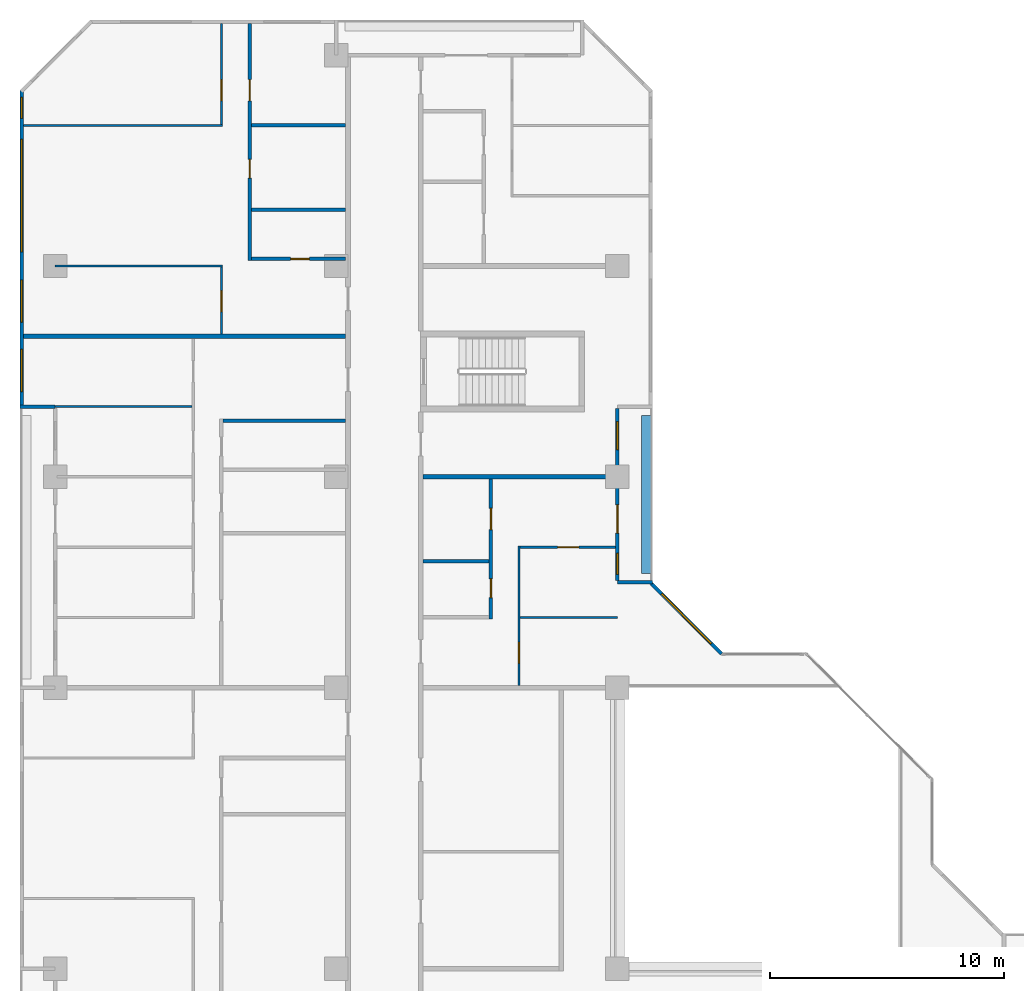
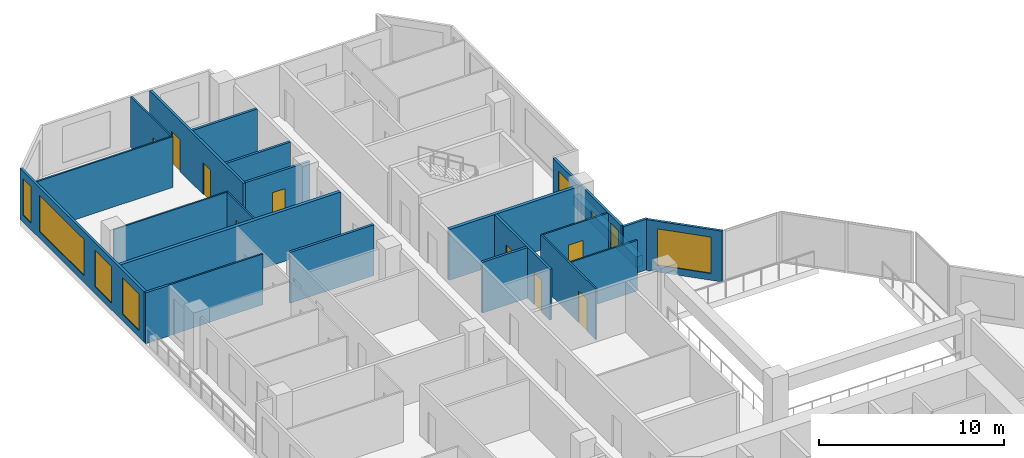
# One storey, part 10 of 16: 23 walls, 10 doors, 7 windows, 17 openings.
"""IFC4 building model written with IfcOpenShell, lengths in metres."""

from ifc_helpers import new_model, si_unit, direction, frame, frame_2d, origin, place, context, subcontext, project, spatial, rectangle, extrude, material, layer, layer_set, type_object, element, fill, save


model = new_model("IFC4")

# Units and contexts
model_context = context("Model", 3, precision=1e-05, world=origin(), true_north=direction((0.0, 1.0)))
body_context = subcontext(model_context, "Body", "Model", "MODEL_VIEW")
ifc_project = project(units=[si_unit("LENGTHUNIT", "METRE"), si_unit("AREAUNIT", "SQUARE_METRE"), si_unit("VOLUMEUNIT", "CUBIC_METRE"), si_unit("PLANEANGLEUNIT", "RADIAN"), si_unit("MASSUNIT", "GRAM", prefix="KILO")], contexts=[model_context])

# Site, building, storey
site_placement = place(None, origin())
site = spatial("IfcSite", under=ifc_project, at=site_placement, CompositionType="ELEMENT")
building_placement = place(site_placement, origin())
building = spatial("IfcBuilding", under=site, at=building_placement, Name="Chenar Terraces", CompositionType="ELEMENT")
storey_placement = place(building_placement, frame((0.0, 0.0, 103.14990234375)))
storey = spatial("IfcBuildingStorey", under=building, at=storey_placement, Name="L23", CompositionType="ELEMENT", Elevation=103.14990234375)

# Wall, openings, windows
ifc_material_1 = material(Name="Aluminium framed glazing", Category="aluminium")
ifc_layer_1 = layer(ifc_material_1, 0.14990234375)
ifc_layer_set_1 = layer_set([ifc_layer_1], Name="Aluminium framed glazing")
wall_type_1 = type_object("IfcWallType", Name="Glazed flush facade wall 150", PredefinedType="SOLIDWALL", material=ifc_layer_set_1)
wall_1_placement = place(storey_placement, frame((-1.425048828125, 61.5, 0.0), z_axis=(0.0, 0.0, 1.0), x_axis=(0.0, -1.0, 0.0)))
wall_1 = element("IfcWall", 1, at=wall_1_placement, inside=storey, type_object=wall_type_1, Name="Glazed flush facade wall", PredefinedType="SOLIDWALL", context=body_context, shape_type="SweptSolid", body=[
    extrude(rectangle(XDim=13.425048828125, YDim=0.14990234375, at=frame_2d((6.71240234375, 0.0))), origin(), (0.0, 0.0, 1.0), 3.35009765625),
])
opening_1_placement = place(wall_1_placement, frame((0.300048828125, 0.0, 0.449951171875)))
opening_1 = element("IfcOpeningElement", 2, at=opening_1_placement, cuts=wall_1, Name="Opening W90x240", PredefinedType="OPENING", context=body_context, shape_type="SweptSolid", body=[
    extrude(rectangle(XDim=0.89990234375, YDim=2.39990234375, at=frame_2d((0.449951171875, 1.199951171875))), frame((0.0, 0.0849609375, 0.0), z_axis=(0.0, -1.0, 0.0), x_axis=(1.0, 0.0, 0.0)), (0.0, 0.0, 1.0), 0.169921875),
])
opening_2_placement = place(wall_1_placement, frame((2.10009765625, 0.0, 0.449951171875)))
opening_2 = element("IfcOpeningElement", 3, at=opening_2_placement, cuts=wall_1, Name="Opening W480x240", PredefinedType="OPENING", context=body_context, shape_type="SweptSolid", body=[
    extrude(rectangle(XDim=4.800048828125, YDim=2.39990234375, at=frame_2d((2.39990234375, 1.199951171875))), frame((0.0, 0.0849609375, 0.0), z_axis=(0.0, -1.0, 0.0), x_axis=(1.0, 0.0, 0.0)), (0.0, 0.0, 1.0), 0.169921875),
])
opening_3_placement = place(wall_1_placement, frame((8.10009765625, 0.0, 0.449951171875)))
opening_3 = element("IfcOpeningElement", 4, at=opening_3_placement, cuts=wall_1, Name="Opening W180x240", PredefinedType="OPENING", context=body_context, shape_type="SweptSolid", body=[
    extrude(rectangle(XDim=1.800048828125, YDim=2.39990234375, at=frame_2d((0.89990234375, 1.199951171875))), frame((0.0, 0.0849609375, 0.0), z_axis=(0.0, -1.0, 0.0), x_axis=(1.0, 0.0, 0.0)), (0.0, 0.0, 1.0), 0.169921875),
])
opening_4_placement = place(wall_1_placement, frame((11.0625, 0.0, 0.449951171875)))
opening_4 = element("IfcOpeningElement", 5, at=opening_4_placement, cuts=wall_1, Name="Opening W180x240", PredefinedType="OPENING", context=body_context, shape_type="SweptSolid", body=[
    extrude(rectangle(XDim=1.800048828125, YDim=2.39990234375, at=frame_2d((0.89990234375, 1.199951171875))), frame((0.0, 0.0849609375, 0.0), z_axis=(0.0, -1.0, 0.0), x_axis=(1.0, 0.0, 0.0)), (0.0, 0.0, 1.0), 0.169921875),
])
ifc_material_2 = material(Name="Low emissivity double glazing, aluminium frame", Category="aluminium")
window_type_1 = type_object("IfcWindowType", Name="Fixed light 1800 x 2400", PartitioningType="SINGLE_PANEL", PredefinedType="WINDOW", material=ifc_material_2)
window_1_placement = place(opening_3_placement, origin())
window_1 = element("IfcWindow", 6, at=window_1_placement, inside=storey, type_object=window_type_1, Name="Window", OverallHeight=2.39990234375, OverallWidth=1.800048828125, PartitioningType="SINGLE_PANEL", PredefinedType="WINDOW", context=body_context, shape_type="SweptSolid", body=[
    extrude(rectangle(XDim=1.800048828125, YDim=2.39990234375, at=frame_2d((0.89990234375, 1.199951171875))), frame((0.0, 0.030029296875, 0.0), z_axis=(0.0, -1.0, 0.0), x_axis=(1.0, 0.0, 0.0)), (0.0, 0.0, 1.0), 0.06005859375),
])
fill(opening_3, window_1)
window_2_placement = place(opening_4_placement, origin())
window_2 = element("IfcWindow", 7, at=window_2_placement, inside=storey, type_object=window_type_1, Name="Window", OverallHeight=2.39990234375, OverallWidth=1.800048828125, PartitioningType="SINGLE_PANEL", PredefinedType="WINDOW", context=body_context, shape_type="SweptSolid", body=[
    extrude(rectangle(XDim=1.800048828125, YDim=2.39990234375, at=frame_2d((0.89990234375, 1.199951171875))), frame((0.0, 0.030029296875, 0.0), z_axis=(0.0, -1.0, 0.0), x_axis=(1.0, 0.0, 0.0)), (0.0, 0.0, 1.0), 0.06005859375),
])
fill(opening_4, window_2)
ifc_material_3 = material(Name="Low emissivity double glazing, aluminium frame", Category="aluminium")
window_type_2 = type_object("IfcWindowType", Name="Fixed light 4800 x 2400", PartitioningType="SINGLE_PANEL", PredefinedType="WINDOW", material=ifc_material_3)
window_3_placement = place(opening_2_placement, origin())
window_3 = element("IfcWindow", 8, at=window_3_placement, inside=storey, type_object=window_type_2, Name="Window", OverallHeight=2.39990234375, OverallWidth=4.800048828125, PartitioningType="SINGLE_PANEL", PredefinedType="WINDOW", context=body_context, shape_type="SweptSolid", body=[
    extrude(rectangle(XDim=4.800048828125, YDim=2.39990234375, at=frame_2d((2.39990234375, 1.199951171875))), frame((0.0, 0.030029296875, 0.0), z_axis=(0.0, -1.0, 0.0), x_axis=(1.0, 0.0, 0.0)), (0.0, 0.0, 1.0), 0.06005859375),
])
fill(opening_2, window_3)
ifc_material_4 = material(Name="Low emissivity double glazing, aluminium frame", Category="aluminium")
window_type_3 = type_object("IfcWindowType", Name="Fixed light 900 x 2400", PartitioningType="SINGLE_PANEL", PredefinedType="WINDOW", material=ifc_material_4)
window_4_placement = place(opening_1_placement, origin())
window_4 = element("IfcWindow", 9, at=window_4_placement, inside=storey, type_object=window_type_3, Name="Window", OverallHeight=2.39990234375, OverallWidth=0.89990234375, PartitioningType="SINGLE_PANEL", PredefinedType="WINDOW", context=body_context, shape_type="SweptSolid", body=[
    extrude(rectangle(XDim=0.89990234375, YDim=2.39990234375, at=frame_2d((0.449951171875, 1.199951171875))), frame((0.0, 0.030029296875, 0.0), z_axis=(0.0, -1.0, 0.0), x_axis=(1.0, 0.0, 0.0)), (0.0, 0.0, 1.0), 0.06005859375),
])
fill(opening_1, window_4)

# Wall, openings, windows, door
ifc_material_5 = material(Name="Aluminium framed glazing", Category="aluminium")
ifc_layer_2 = layer(ifc_material_5, 0.14990234375)
ifc_layer_set_2 = layer_set([ifc_layer_2], Name="Aluminium framed glazing")
wall_type_2 = type_object("IfcWallType", Name="Glazed loggia back wall 150", PredefinedType="SOLIDWALL", material=ifc_layer_set_2)
wall_2_placement = place(storey_placement, frame((24.0, 40.574951171875, 0.0), z_axis=(0.0, 0.0, 1.0), x_axis=(0.0, 1.0, 0.0)))
wall_2 = element("IfcWall", 10, at=wall_2_placement, inside=storey, type_object=wall_type_2, Name="Glazed loggia back wall", PredefinedType="SOLIDWALL", context=body_context, shape_type="SweptSolid", body=[
    extrude(rectangle(XDim=7.35009765625, YDim=0.14990234375, at=frame_2d((3.675048828125, 0.0))), origin(), (0.0, 0.0, 1.0), 3.35009765625),
])
opening_5_placement = place(wall_2_placement, frame((0.262451171875, 0.0, 0.449951171875)))
opening_5 = element("IfcOpeningElement", 11, at=opening_5_placement, cuts=wall_2, Name="Opening W90x240", PredefinedType="OPENING", context=body_context, shape_type="SweptSolid", body=[
    extrude(rectangle(XDim=0.89990234375, YDim=2.39990234375, at=frame_2d((0.449951171875, 1.199951171875))), frame((0.0, 0.0849609375, 0.0), z_axis=(0.0, -1.0, 0.0), x_axis=(1.0, 0.0, 0.0)), (0.0, 0.0, 1.0), 0.169921875),
])
opening_6_placement = place(wall_2_placement, frame((2.02490234375, 0.0, 0.0)))
opening_6 = element("IfcOpeningElement", 12, at=opening_6_placement, cuts=wall_2, Name="Opening DL23-G2", PredefinedType="OPENING", context=body_context, shape_type="SweptSolid", body=[
    extrude(rectangle(XDim=1.199951171875, YDim=2.39990234375, at=frame_2d((0.60009765625, 1.199951171875))), frame((0.0, 0.0849609375, 0.0), z_axis=(0.0, -1.0, 0.0), x_axis=(1.0, 0.0, 0.0)), (0.0, 0.0, 1.0), 0.169921875),
])
opening_7_placement = place(wall_2_placement, frame((5.58740234375, 0.0, 0.449951171875)))
opening_7 = element("IfcOpeningElement", 13, at=opening_7_placement, cuts=wall_2, Name="Opening W120x240", PredefinedType="OPENING", context=body_context, shape_type="SweptSolid", body=[
    extrude(rectangle(XDim=1.199951171875, YDim=2.39990234375, at=frame_2d((0.60009765625, 1.199951171875))), frame((0.0, 0.0849609375, 0.0), z_axis=(0.0, -1.0, 0.0), x_axis=(1.0, 0.0, 0.0)), (0.0, 0.0, 1.0), 0.169921875),
])
ifc_material_6 = material(Name="Low emissivity double glazing, aluminium frame", Category="aluminium")
window_type_4 = type_object("IfcWindowType", Name="Fixed light 1200 x 2400", PartitioningType="SINGLE_PANEL", PredefinedType="WINDOW", material=ifc_material_6)
window_5_placement = place(opening_7_placement, origin())
window_5 = element("IfcWindow", 14, at=window_5_placement, inside=storey, type_object=window_type_4, Name="Window", OverallHeight=2.39990234375, OverallWidth=1.199951171875, PartitioningType="SINGLE_PANEL", PredefinedType="WINDOW", context=body_context, shape_type="SweptSolid", body=[
    extrude(rectangle(XDim=1.199951171875, YDim=2.39990234375, at=frame_2d((0.60009765625, 1.199951171875))), frame((0.0, 0.030029296875, 0.0), z_axis=(0.0, -1.0, 0.0), x_axis=(1.0, 0.0, 0.0)), (0.0, 0.0, 1.0), 0.06005859375),
])
fill(opening_7, window_5)
window_6_placement = place(opening_5_placement, origin())
window_6 = element("IfcWindow", 15, at=window_6_placement, inside=storey, type_object=window_type_3, Name="Window", OverallHeight=2.39990234375, OverallWidth=0.89990234375, PartitioningType="SINGLE_PANEL", PredefinedType="WINDOW", context=body_context, shape_type="SweptSolid", body=[
    extrude(rectangle(XDim=0.89990234375, YDim=2.39990234375, at=frame_2d((0.449951171875, 1.199951171875))), frame((0.0, 0.030029296875, 0.0), z_axis=(0.0, -1.0, 0.0), x_axis=(1.0, 0.0, 0.0)), (0.0, 0.0, 1.0), 0.06005859375),
])
fill(opening_5, window_6)
ifc_material_7 = material(Name="Low emissivity double glazing, aluminium frame", Category="aluminium")
door_type_1 = type_object("IfcDoorType", Name="Loggia glazed double door 1200 x 2400", OperationType="DOUBLE_DOOR_SINGLE_SWING", PredefinedType="DOOR", material=ifc_material_7)
door_1_placement = place(opening_6_placement, frame((1.199951171875, 0.0, 0.0), z_axis=(0.0, 0.0, 1.0), x_axis=(-1.0, 0.0, 0.0)))
door_1 = element("IfcDoor", 16, at=door_1_placement, inside=storey, type_object=door_type_1, Name="Loggia glazed door", OperationType="DOUBLE_DOOR_SINGLE_SWING", OverallHeight=2.39990234375, OverallWidth=1.199951171875, PredefinedType="DOOR", context=body_context, shape_type="SweptSolid", body=[
    extrude(rectangle(XDim=1.199951171875, YDim=2.39990234375, at=frame_2d((0.60009765625, 1.199951171875))), frame((0.0, 0.02490234375, 0.0), z_axis=(0.0, -1.0, 0.0), x_axis=(1.0, 0.0, 0.0)), (0.0, 0.0, 1.0), 0.050048828125),
])
fill(opening_6, door_1)

# Walls
ifc_material_8 = material(Name="Gypsum board on steel studs", Category="steel")
ifc_layer_3 = layer(ifc_material_8, 0.10009765625)
ifc_layer_set_3 = layer_set([ifc_layer_3], Name="Gypsum board on steel studs")
wall_type_3 = type_object("IfcWallType", Name="Gypsum partition 100", PredefinedType="PARTITIONING", material=ifc_layer_set_3)
wall_3_placement = place(storey_placement, frame((0.0, 48.0, 0.0), z_axis=(0.0, 0.0, 1.0), x_axis=(1.0, 0.0, 0.0)))
element("IfcWall", 17, at=wall_3_placement, inside=storey, type_object=wall_type_3, Name="Partition L23-004", PredefinedType="PARTITIONING", context=body_context, shape_type="SweptSolid", body=[
    extrude(rectangle(XDim=5.85009765625, YDim=0.10009765625, at=frame_2d((2.925048828125, 0.0))), origin(), (0.0, 0.0, 1.0), 3.35009765625),
])
wall_4_placement = place(storey_placement, frame((0.0, 54.0, 0.0), z_axis=(0.0, 0.0, 1.0), x_axis=(1.0, 0.0, 0.0)))
element("IfcWall", 18, at=wall_4_placement, inside=storey, type_object=wall_type_3, Name="Partition L23-006", PredefinedType="PARTITIONING", context=body_context, shape_type="SweptSolid", body=[
    extrude(rectangle(XDim=7.14990234375, YDim=0.10009765625, at=frame_2d((3.574951171875, 0.0))), origin(), (0.0, 0.0, 1.0), 3.35009765625),
])
wall_5_placement = place(storey_placement, frame((-1.35009765625, 60.0, 0.0), z_axis=(0.0, 0.0, 1.0), x_axis=(1.0, 0.0, 0.0)))
element("IfcWall", 19, at=wall_5_placement, inside=storey, type_object=wall_type_3, Name="Partition L23-007", PredefinedType="PARTITIONING", context=body_context, shape_type="SweptSolid", body=[
    extrude(rectangle(XDim=8.5, YDim=0.10009765625, at=frame_2d((4.25, 0.0))), origin(), (0.0, 0.0, 1.0), 3.35009765625),
])

# Wall, opening, door
wall_6_placement = place(storey_placement, frame((7.10009765625, 51.10009765625, 0.0), z_axis=(0.0, 0.0, 1.0), x_axis=(0.0, 1.0, 0.0)))
wall_6 = element("IfcWall", 20, at=wall_6_placement, inside=storey, type_object=wall_type_3, Name="Partition L23-019", PredefinedType="PARTITIONING", context=body_context, shape_type="SweptSolid", body=[
    extrude(rectangle(XDim=2.849853515625, YDim=0.10009765625, at=frame_2d((1.4248046875, 0.0))), origin(), (0.0, 0.0, 1.0), 3.35009765625),
])
opening_8_placement = place(wall_6_placement, frame((0.949951171875, 0.0, 0.0)))
opening_8 = element("IfcOpeningElement", 21, at=opening_8_placement, cuts=wall_6, Name="Opening DL23-43", PredefinedType="OPENING", context=body_context, shape_type="SweptSolid", body=[
    extrude(rectangle(XDim=0.89990234375, YDim=2.10009765625, at=frame_2d((0.449951171875, 1.050048828125))), frame((0.0, 0.06005859375, 0.0), z_axis=(0.0, -1.0, 0.0), x_axis=(1.0, 0.0, 0.0)), (0.0, 0.0, 1.0), 0.1201171875),
])
ifc_material_9 = material(Name="Veneered timber door leaf", Category="wood")
door_type_2 = type_object("IfcDoorType", Name="Door 900 x 2100", OperationType="SINGLE_SWING_LEFT", PredefinedType="DOOR", material=ifc_material_9)
door_2_placement = place(opening_8_placement, origin())
door_2 = element("IfcDoor", 22, at=door_2_placement, inside=storey, type_object=door_type_2, Name="Door DL23-43", OperationType="SINGLE_SWING_RIGHT", OverallHeight=2.10009765625, OverallWidth=0.89990234375, PredefinedType="DOOR", context=body_context, shape_type="SweptSolid", body=[
    extrude(rectangle(XDim=0.89990234375, YDim=2.10009765625, at=frame_2d((0.449951171875, 1.050048828125))), frame((0.0, 0.02490234375, 0.0), z_axis=(0.0, -1.0, 0.0), x_axis=(1.0, 0.0, 0.0)), (0.0, 0.0, 1.0), 0.050048828125),
])
fill(opening_8, door_2)

wall_7_placement = place(storey_placement, frame((7.10009765625, 60.050048828125, 0.0), z_axis=(0.0, 0.0, 1.0), x_axis=(0.0, 1.0, 0.0)))
wall_7 = element("IfcWall", 23, at=wall_7_placement, inside=storey, type_object=wall_type_3, Name="Partition L23-020", PredefinedType="PARTITIONING", context=body_context, shape_type="SweptSolid", body=[
    extrude(rectangle(XDim=4.300048828125, YDim=0.10009765625, at=frame_2d((2.14990234375, 0.0))), origin(), (0.0, 0.0, 1.0), 3.35009765625),
])
opening_9_placement = place(wall_7_placement, frame((1.0, 0.0, 0.0)))
opening_9 = element("IfcOpeningElement", 24, at=opening_9_placement, cuts=wall_7, Name="Opening DL23-44", PredefinedType="OPENING", context=body_context, shape_type="SweptSolid", body=[
    extrude(rectangle(XDim=0.89990234375, YDim=2.10009765625, at=frame_2d((0.449951171875, 1.050048828125))), frame((0.0, 0.06005859375, 0.0), z_axis=(0.0, -1.0, 0.0), x_axis=(1.0, 0.0, 0.0)), (0.0, 0.0, 1.0), 0.1201171875),
])
door_3_placement = place(opening_9_placement, origin())
door_3 = element("IfcDoor", 25, at=door_3_placement, inside=storey, type_object=door_type_2, Name="Door DL23-44", OperationType="SINGLE_SWING_LEFT", OverallHeight=2.10009765625, OverallWidth=0.89990234375, PredefinedType="DOOR", context=body_context, shape_type="SweptSolid", body=[
    extrude(rectangle(XDim=0.89990234375, YDim=2.10009765625, at=frame_2d((0.449951171875, 1.050048828125))), frame((0.0, 0.02490234375, 0.0), z_axis=(0.0, -1.0, 0.0), x_axis=(1.0, 0.0, 0.0)), (0.0, 0.0, 1.0), 0.050048828125),
])
fill(opening_9, door_3)

wall_8_placement = place(storey_placement, frame((19.800048828125, 36.10009765625, 0.0), z_axis=(0.0, 0.0, 1.0), x_axis=(0.0, 1.0, 0.0)))
wall_8 = element("IfcWall", 26, at=wall_8_placement, inside=storey, type_object=wall_type_3, Name="Partition L23-052", PredefinedType="PARTITIONING", context=body_context, shape_type="SweptSolid", body=[
    extrude(rectangle(XDim=5.949951171875, YDim=0.10009765625, at=frame_2d((2.97509765625, 0.0))), origin(), (0.0, 0.0, 1.0), 3.35009765625),
])
opening_10_placement = place(wall_8_placement, frame((0.949951171875, 0.0, 0.0)))
opening_10 = element("IfcOpeningElement", 27, at=opening_10_placement, cuts=wall_8, Name="Opening DL23-25", PredefinedType="OPENING", context=body_context, shape_type="SweptSolid", body=[
    extrude(rectangle(XDim=0.89990234375, YDim=2.10009765625, at=frame_2d((0.449951171875, 1.050048828125))), frame((0.0, 0.06005859375, 0.0), z_axis=(0.0, -1.0, 0.0), x_axis=(1.0, 0.0, 0.0)), (0.0, 0.0, 1.0), 0.1201171875),
])
door_4_placement = place(opening_10_placement, frame((0.89990234375, 0.0, 0.0), z_axis=(0.0, 0.0, 1.0), x_axis=(-1.0, 0.0, 0.0)))
door_4 = element("IfcDoor", 28, at=door_4_placement, inside=storey, type_object=door_type_2, Name="Door DL23-25", OperationType="SINGLE_SWING_LEFT", OverallHeight=2.10009765625, OverallWidth=0.89990234375, PredefinedType="DOOR", context=body_context, shape_type="SweptSolid", body=[
    extrude(rectangle(XDim=0.89990234375, YDim=2.10009765625, at=frame_2d((0.449951171875, 1.050048828125))), frame((0.0, 0.02490234375, 0.0), z_axis=(0.0, -1.0, 0.0), x_axis=(1.0, 0.0, 0.0)), (0.0, 0.0, 1.0), 0.050048828125),
])
fill(opening_10, door_4)

# Wall
wall_9_placement = place(storey_placement, frame((19.85009765625, 39.0, 0.0), z_axis=(0.0, 0.0, 1.0), x_axis=(1.0, 0.0, 0.0)))
element("IfcWall", 29, at=wall_9_placement, inside=storey, type_object=wall_type_3, Name="Partition L23-053", PredefinedType="PARTITIONING", context=body_context, shape_type="SweptSolid", body=[
    extrude(rectangle(XDim=4.14990234375, YDim=0.10009765625, at=frame_2d((2.074951171875, 0.0))), origin(), (0.0, 0.0, 1.0), 3.35009765625),
])

# Wall, opening, door
wall_10_placement = place(storey_placement, frame((19.85009765625, 42.0, 0.0), z_axis=(0.0, 0.0, 1.0), x_axis=(1.0, 0.0, 0.0)))
wall_10 = element("IfcWall", 30, at=wall_10_placement, inside=storey, type_object=wall_type_3, Name="Partition L23-054", PredefinedType="PARTITIONING", context=body_context, shape_type="SweptSolid", body=[
    extrude(rectangle(XDim=4.075927734375, YDim=0.10009765625, at=frame_2d((2.0380859375, 0.0))), origin(), (0.0, 0.0, 1.0), 3.35009765625),
])
opening_11_placement = place(wall_10_placement, frame((1.60009765625, 0.0, 0.0)))
opening_11 = element("IfcOpeningElement", 31, at=opening_11_placement, cuts=wall_10, Name="Opening DL23-26", PredefinedType="OPENING", context=body_context, shape_type="SweptSolid", body=[
    extrude(rectangle(XDim=0.89990234375, YDim=2.10009765625, at=frame_2d((0.449951171875, 1.050048828125))), frame((0.0, 0.06005859375, 0.0), z_axis=(0.0, -1.0, 0.0), x_axis=(1.0, 0.0, 0.0)), (0.0, 0.0, 1.0), 0.1201171875),
])
door_5_placement = place(opening_11_placement, frame((0.89990234375, 0.0, 0.0), z_axis=(0.0, 0.0, 1.0), x_axis=(-1.0, 0.0, 0.0)))
door_5 = element("IfcDoor", 32, at=door_5_placement, inside=storey, type_object=door_type_2, Name="Door DL23-26", OperationType="SINGLE_SWING_LEFT", OverallHeight=2.10009765625, OverallWidth=0.89990234375, PredefinedType="DOOR", context=body_context, shape_type="SweptSolid", body=[
    extrude(rectangle(XDim=0.89990234375, YDim=2.10009765625, at=frame_2d((0.449951171875, 1.050048828125))), frame((0.0, 0.02490234375, 0.0), z_axis=(0.0, -1.0, 0.0), x_axis=(1.0, 0.0, 0.0)), (0.0, 0.0, 1.0), 0.050048828125),
])
fill(opening_11, door_5)

# Walls
ifc_material_10 = material(Name="Terracotta cladding on insulated backing", Category="masonry")
ifc_layer_4 = layer(ifc_material_10, 0.14990234375)
ifc_layer_set_4 = layer_set([ifc_layer_4], Name="Terracotta cladding on insulated backing")
wall_type_4 = type_object("IfcWallType", Name="Loggia return wall 150", PredefinedType="SOLIDWALL", material=ifc_layer_set_4)
for number, where, z_axis, x_axis, name in (
    (33, (25.5, 40.5, 0.0), (0.0, 0.0, 1.0), (-1.0, 0.0, 0.0), "Loggia return wall"),
    (34, (-1.5, 48.0, 0.0), (0.0, 0.0, 1.0), (1.0, 0.0, 0.0), "Loggia return wall"),
):
    element("IfcWall", number, at=place(storey_placement, frame(where, z_axis=z_axis, x_axis=x_axis)), inside=storey, type_object=wall_type_4, Name=name, PredefinedType="SOLIDWALL", context=body_context, shape_type="SweptSolid", body=[
        extrude(rectangle(XDim=1.5, YDim=0.14990234375, at=frame_2d((0.75, 0.0))), origin(), (0.0, 0.0, 1.0), 3.35009765625),
    ])

# Wall, opening, window
ifc_material_11 = material(Name="Terracotta cladding on insulated backing", Category="masonry")
ifc_layer_5 = layer(ifc_material_11, 0.14990234375)
ifc_layer_set_5 = layer_set([ifc_layer_5], Name="Terracotta cladding on insulated backing")
wall_type_5 = type_object("IfcWallType", Name="Terracotta rainscreen wall 150", PredefinedType="SOLIDWALL", material=ifc_layer_set_5)
wall_11_placement = place(storey_placement, frame((28.447021484375, 37.447021484375, 0.0), z_axis=(0.0, 0.0, 1.0), x_axis=(-0.707106781187, 0.707106781187, 0.0)))
wall_11 = element("IfcWall", 35, at=wall_11_placement, inside=storey, type_object=wall_type_5, Name="Terracotta rainscreen wall", PredefinedType="SOLIDWALL", context=body_context, shape_type="SweptSolid", body=[
    extrude(rectangle(XDim=4.24267578125, YDim=0.14990234375, at=frame_2d((2.121337890625, 0.0))), origin(), (0.0, 0.0, 1.0), 3.35009765625),
])
opening_12_placement = place(wall_11_placement, frame((0.621337890625, 0.0, 0.449951171875)))
opening_12 = element("IfcOpeningElement", 36, at=opening_12_placement, cuts=wall_11, Name="Opening W300x240", PredefinedType="OPENING", context=body_context, shape_type="SweptSolid", body=[
    extrude(rectangle(XDim=3.0, YDim=2.39990234375, at=frame_2d((1.5, 1.199951171875))), frame((0.0, 0.0849609375, 0.0), z_axis=(0.0, -1.0, 0.0), x_axis=(1.0, 0.0, 0.0)), (0.0, 0.0, 1.0), 0.169921875),
])
ifc_material_12 = material(Name="Low emissivity double glazing, aluminium frame", Category="aluminium")
window_type_5 = type_object("IfcWindowType", Name="Fixed light 3000 x 2400", PartitioningType="SINGLE_PANEL", PredefinedType="WINDOW", material=ifc_material_12)
window_7_placement = place(opening_12_placement, origin())
window_7 = element("IfcWindow", 37, at=window_7_placement, inside=storey, type_object=window_type_5, Name="Window", OverallHeight=2.39990234375, OverallWidth=3.0, PartitioningType="SINGLE_PANEL", PredefinedType="WINDOW", context=body_context, shape_type="SweptSolid", body=[
    extrude(rectangle(XDim=3.0, YDim=2.39990234375, at=frame_2d((1.5, 1.199951171875))), frame((0.0, 0.030029296875, 0.0), z_axis=(0.0, -1.0, 0.0), x_axis=(1.0, 0.0, 0.0)), (0.0, 0.0, 1.0), 0.06005859375),
])
fill(opening_12, window_7)

# Walls
ifc_material_13 = material(Name="Twin gypsum board on steel studs with mineral wool", Category="steel")
ifc_layer_6 = layer(ifc_material_13, 0.199951171875)
ifc_layer_set_6 = layer_set([ifc_layer_6], Name="Twin gypsum board on steel studs with mineral wool")
wall_type_6 = type_object("IfcWallType", Name="Unit demising wall 200", PredefinedType="PARTITIONING", material=ifc_layer_set_6)
wall_12_placement = place(storey_placement, frame((-1.35009765625, 51.0, 0.0), z_axis=(0.0, 0.0, 1.0), x_axis=(1.0, 0.0, 0.0)))
element("IfcWall", 38, at=wall_12_placement, inside=storey, type_object=wall_type_6, Name="Partition L23-005", PredefinedType="PARTITIONING", context=body_context, shape_type="SweptSolid", body=[
    extrude(rectangle(XDim=13.75, YDim=0.199951171875, at=frame_2d((6.875, 0.0))), origin(), (0.0, 0.0, 1.0), 3.35009765625),
])
wall_13_placement = place(storey_placement, frame((15.699951171875, 45.0, 0.0), z_axis=(0.0, 0.0, 1.0), x_axis=(1.0, 0.0, 0.0)))
element("IfcWall", 39, at=wall_13_placement, inside=storey, type_object=wall_type_6, Name="Partition L23-043", PredefinedType="PARTITIONING", context=body_context, shape_type="SweptSolid", body=[
    extrude(rectangle(XDim=8.22607421875, YDim=0.199951171875, at=frame_2d((4.113037109375, 0.0))), origin(), (0.0, 0.0, 1.0), 3.35009765625),
])
ifc_material_14 = material(Name="GRP planter trough")
ifc_layer_7 = layer(ifc_material_14, 0.39990234375)
ifc_layer_set_7 = layer_set([ifc_layer_7], Name="GRP planter trough")
wall_type_7 = type_object("IfcWallType", Name="Vertical greenery planter 400", PredefinedType="SOLIDWALL", material=ifc_layer_set_7)
wall_14_placement = place(storey_placement, frame((25.22900390625, 40.875, 0.0), z_axis=(0.0, 0.0, 1.0), x_axis=(0.0, 1.0, 0.0)))
element("IfcWall", 40, at=wall_14_placement, inside=storey, type_object=wall_type_7, Name="Vertical greenery planter", PredefinedType="SOLIDWALL", context=body_context, shape_type="SweptSolid", body=[
    extrude(rectangle(XDim=6.75, YDim=0.39990234375, at=frame_2d((3.375, 0.0))), origin(), (0.0, 0.0, 1.0), 0.7001953125),
])
ifc_material_15 = material(Name="Moisture-resistant gypsum board on steel studs", Category="steel")
ifc_layer_8 = layer(ifc_material_15, 0.14990234375)
ifc_layer_set_8 = layer_set([ifc_layer_8], Name="Moisture-resistant gypsum board on steel studs")
wall_type_8 = type_object("IfcWallType", Name="Wet-room partition 150", PredefinedType="PARTITIONING", material=ifc_layer_set_8)
wall_15_placement = place(storey_placement, frame((7.175048828125, 47.39990234375, 0.0), z_axis=(0.0, 0.0, 1.0), x_axis=(1.0, 0.0, 0.0)))
element("IfcWall", 41, at=wall_15_placement, inside=storey, type_object=wall_type_8, Name="Partition L23-025", PredefinedType="PARTITIONING", context=body_context, shape_type="SweptSolid", body=[
    extrude(rectangle(XDim=5.224853515625, YDim=0.14990234375, at=frame_2d((2.6123046875, 0.0))), origin(), (0.0, 0.0, 1.0), 3.35009765625),
])

# Wall, openings, doors
wall_16_placement = place(storey_placement, frame((8.300048828125, 54.22509765625, 0.0), z_axis=(0.0, 0.0, 1.0), x_axis=(0.0, 1.0, 0.0)))
wall_16 = element("IfcWall", 42, at=wall_16_placement, inside=storey, type_object=wall_type_8, Name="Partition L23-026", PredefinedType="PARTITIONING", context=body_context, shape_type="SweptSolid", body=[
    extrude(rectangle(XDim=10.125, YDim=0.14990234375, at=frame_2d((5.0625, 0.0))), origin(), (0.0, 0.0, 1.0), 3.35009765625),
])
opening_13_placement = place(wall_16_placement, frame((6.824951171875, 0.0, 0.0)))
opening_13 = element("IfcOpeningElement", 43, at=opening_13_placement, cuts=wall_16, Name="Opening DL23-45", PredefinedType="OPENING", context=body_context, shape_type="SweptSolid", body=[
    extrude(rectangle(XDim=0.89990234375, YDim=2.10009765625, at=frame_2d((0.449951171875, 1.050048828125))), frame((0.0, 0.0849609375, 0.0), z_axis=(0.0, -1.0, 0.0), x_axis=(1.0, 0.0, 0.0)), (0.0, 0.0, 1.0), 0.169921875),
])
opening_14_placement = place(wall_16_placement, frame((3.52490234375, 0.0, 0.0)))
opening_14 = element("IfcOpeningElement", 44, at=opening_14_placement, cuts=wall_16, Name="Opening DL23-47", PredefinedType="OPENING", context=body_context, shape_type="SweptSolid", body=[
    extrude(rectangle(XDim=0.800048828125, YDim=2.10009765625, at=frame_2d((0.39990234375, 1.050048828125))), frame((0.0, 0.0849609375, 0.0), z_axis=(0.0, -1.0, 0.0), x_axis=(1.0, 0.0, 0.0)), (0.0, 0.0, 1.0), 0.169921875),
])
ifc_material_16 = material(Name="Veneered timber door leaf", Category="wood")
door_type_3 = type_object("IfcDoorType", Name="Door 800 x 2100", OperationType="SINGLE_SWING_LEFT", PredefinedType="DOOR", material=ifc_material_16)
door_6_placement = place(opening_14_placement, frame((0.800048828125, 0.0, 0.0), z_axis=(0.0, 0.0, 1.0), x_axis=(-1.0, 0.0, 0.0)))
door_6 = element("IfcDoor", 45, at=door_6_placement, inside=storey, type_object=door_type_3, Name="Door DL23-47", OperationType="SINGLE_SWING_RIGHT", OverallHeight=2.10009765625, OverallWidth=0.800048828125, PredefinedType="DOOR", context=body_context, shape_type="SweptSolid", body=[
    extrude(rectangle(XDim=0.800048828125, YDim=2.10009765625, at=frame_2d((0.39990234375, 1.050048828125))), frame((0.0, 0.02490234375, 0.0), z_axis=(0.0, -1.0, 0.0), x_axis=(1.0, 0.0, 0.0)), (0.0, 0.0, 1.0), 0.050048828125),
])
fill(opening_14, door_6)
door_7_placement = place(opening_13_placement, frame((0.89990234375, 0.0, 0.0), z_axis=(0.0, 0.0, 1.0), x_axis=(-1.0, 0.0, 0.0)))
door_7 = element("IfcDoor", 46, at=door_7_placement, inside=storey, type_object=door_type_2, Name="Door DL23-45", OperationType="SINGLE_SWING_RIGHT", OverallHeight=2.10009765625, OverallWidth=0.89990234375, PredefinedType="DOOR", context=body_context, shape_type="SweptSolid", body=[
    extrude(rectangle(XDim=0.89990234375, YDim=2.10009765625, at=frame_2d((0.449951171875, 1.050048828125))), frame((0.0, 0.02490234375, 0.0), z_axis=(0.0, -1.0, 0.0), x_axis=(1.0, 0.0, 0.0)), (0.0, 0.0, 1.0), 0.050048828125),
])
fill(opening_13, door_7)

# Wall, opening, door
wall_17_placement = place(storey_placement, frame((8.375, 54.300048828125, 0.0), z_axis=(0.0, 0.0, 1.0), x_axis=(1.0, 0.0, 0.0)))
wall_17 = element("IfcWall", 47, at=wall_17_placement, inside=storey, type_object=wall_type_8, Name="Partition L23-027", PredefinedType="PARTITIONING", context=body_context, shape_type="SweptSolid", body=[
    extrude(rectangle(XDim=4.02490234375, YDim=0.14990234375, at=frame_2d((2.012451171875, 0.0))), origin(), (0.0, 0.0, 1.0), 3.35009765625),
])
opening_15_placement = place(wall_17_placement, frame((1.675048828125, 0.0, 0.0)))
opening_15 = element("IfcOpeningElement", 48, at=opening_15_placement, cuts=wall_17, Name="Opening DL23-42", PredefinedType="OPENING", context=body_context, shape_type="SweptSolid", body=[
    extrude(rectangle(XDim=0.800048828125, YDim=2.10009765625, at=frame_2d((0.39990234375, 1.050048828125))), frame((0.0, 0.0849609375, 0.0), z_axis=(0.0, -1.0, 0.0), x_axis=(1.0, 0.0, 0.0)), (0.0, 0.0, 1.0), 0.169921875),
])
door_8_placement = place(opening_15_placement, origin())
door_8 = element("IfcDoor", 49, at=door_8_placement, inside=storey, type_object=door_type_3, Name="Door DL23-42", OperationType="SINGLE_SWING_RIGHT", OverallHeight=2.10009765625, OverallWidth=0.800048828125, PredefinedType="DOOR", context=body_context, shape_type="SweptSolid", body=[
    extrude(rectangle(XDim=0.800048828125, YDim=2.10009765625, at=frame_2d((0.39990234375, 1.050048828125))), frame((0.0, 0.02490234375, 0.0), z_axis=(0.0, -1.0, 0.0), x_axis=(1.0, 0.0, 0.0)), (0.0, 0.0, 1.0), 0.050048828125),
])
fill(opening_15, door_8)

# Walls
for number, where, z_axis, x_axis, name in (
    (50, (8.375, 56.39990234375, 0.0), (0.0, 0.0, 1.0), (1.0, 0.0, 0.0), "Partition L23-028"),
    (51, (8.375, 60.0, 0.0), (0.0, 0.0, 1.0), (1.0, 0.0, 0.0), "Partition L23-029"),
):
    element("IfcWall", number, at=place(storey_placement, frame(where, z_axis=z_axis, x_axis=x_axis)), inside=storey, type_object=wall_type_8, Name=name, PredefinedType="PARTITIONING", context=body_context, shape_type="SweptSolid", body=[
        extrude(rectangle(XDim=4.02490234375, YDim=0.14990234375, at=frame_2d((2.012451171875, 0.0))), origin(), (0.0, 0.0, 1.0), 3.35009765625),
    ])
wall_18_placement = place(storey_placement, frame((15.699951171875, 41.39990234375, 0.0), z_axis=(0.0, 0.0, 1.0), x_axis=(1.0, 0.0, 0.0)))
element("IfcWall", 52, at=wall_18_placement, inside=storey, type_object=wall_type_8, Name="Partition L23-042", PredefinedType="PARTITIONING", context=body_context, shape_type="SweptSolid", body=[
    extrude(rectangle(XDim=2.824951171875, YDim=0.14990234375, at=frame_2d((1.41259765625, 0.0))), origin(), (0.0, 0.0, 1.0), 3.35009765625),
])

# Wall, openings, doors
wall_19_placement = place(storey_placement, frame((18.60009765625, 38.925048828125, 0.0), z_axis=(0.0, 0.0, 1.0), x_axis=(0.0, 1.0, 0.0)))
wall_19 = element("IfcWall", 53, at=wall_19_placement, inside=storey, type_object=wall_type_8, Name="Partition L23-048", PredefinedType="PARTITIONING", context=body_context, shape_type="SweptSolid", body=[
    extrude(rectangle(XDim=5.974853515625, YDim=0.14990234375, at=frame_2d((2.9873046875, 0.0))), origin(), (0.0, 0.0, 1.0), 3.35009765625),
])
opening_16_placement = place(wall_19_placement, frame((0.925048828125, 0.0, 0.0)))
opening_16 = element("IfcOpeningElement", 54, at=opening_16_placement, cuts=wall_19, Name="Opening DL23-24", PredefinedType="OPENING", context=body_context, shape_type="SweptSolid", body=[
    extrude(rectangle(XDim=0.800048828125, YDim=2.10009765625, at=frame_2d((0.39990234375, 1.050048828125))), frame((0.0, 0.0849609375, 0.0), z_axis=(0.0, -1.0, 0.0), x_axis=(1.0, 0.0, 0.0)), (0.0, 0.0, 1.0), 0.169921875),
])
opening_17_placement = place(wall_19_placement, frame((3.824951171875, 0.0, 0.0)))
opening_17 = element("IfcOpeningElement", 55, at=opening_17_placement, cuts=wall_19, Name="Opening DL23-27", PredefinedType="OPENING", context=body_context, shape_type="SweptSolid", body=[
    extrude(rectangle(XDim=0.89990234375, YDim=2.10009765625, at=frame_2d((0.449951171875, 1.050048828125))), frame((0.0, 0.0849609375, 0.0), z_axis=(0.0, -1.0, 0.0), x_axis=(1.0, 0.0, 0.0)), (0.0, 0.0, 1.0), 0.169921875),
])
door_9_placement = place(opening_16_placement, origin())
door_9 = element("IfcDoor", 56, at=door_9_placement, inside=storey, type_object=door_type_3, Name="Door DL23-24", OperationType="SINGLE_SWING_RIGHT", OverallHeight=2.10009765625, OverallWidth=0.800048828125, PredefinedType="DOOR", context=body_context, shape_type="SweptSolid", body=[
    extrude(rectangle(XDim=0.800048828125, YDim=2.10009765625, at=frame_2d((0.39990234375, 1.050048828125))), frame((0.0, 0.02490234375, 0.0), z_axis=(0.0, -1.0, 0.0), x_axis=(1.0, 0.0, 0.0)), (0.0, 0.0, 1.0), 0.050048828125),
])
fill(opening_16, door_9)
door_10_placement = place(opening_17_placement, origin())
door_10 = element("IfcDoor", 57, at=door_10_placement, inside=storey, type_object=door_type_2, Name="Door DL23-27", OperationType="SINGLE_SWING_RIGHT", OverallHeight=2.10009765625, OverallWidth=0.89990234375, PredefinedType="DOOR", context=body_context, shape_type="SweptSolid", body=[
    extrude(rectangle(XDim=0.89990234375, YDim=2.10009765625, at=frame_2d((0.449951171875, 1.050048828125))), frame((0.0, 0.02490234375, 0.0), z_axis=(0.0, -1.0, 0.0), x_axis=(1.0, 0.0, 0.0)), (0.0, 0.0, 1.0), 0.050048828125),
])
fill(opening_17, door_10)

save(model, "model.ifc")
